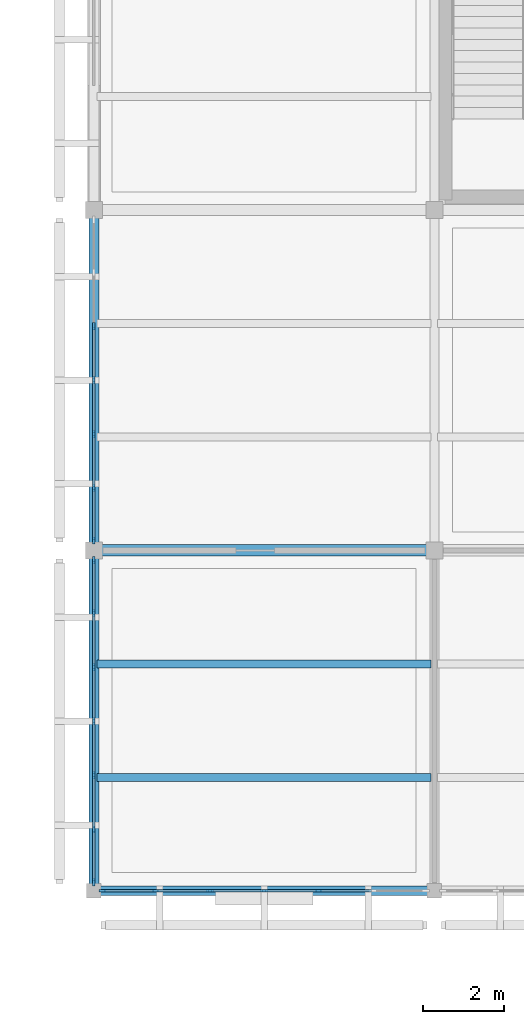
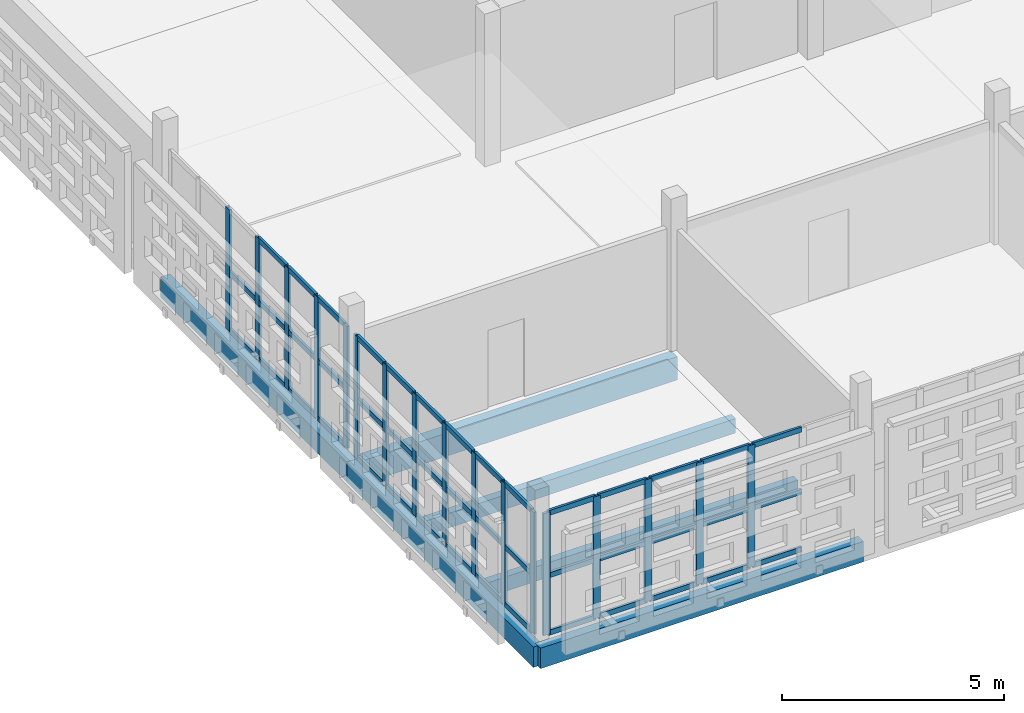
# One storey, part 16 of 166: 61 members, 6 beams, 3 elements without a shape of their own.
"""IFC4 building model written with IfcOpenShell, lengths in metres."""

from ifc_helpers import new_model, si_unit, direction, frame, origin, origin_2d, place, context, subcontext, project, spatial, rectangle, extrude, material, layer, layer_set, material_profile, profile_set, type_object, element, aggregate, save


model = new_model("IFC4")

# Units and contexts
model_context = context("Model", 3, precision=1e-05, world=origin(), true_north=direction((0.0, 1.0)))
body_context = subcontext(model_context, "Body", "Model", "MODEL_VIEW")
ifc_project = project(units=[si_unit("LENGTHUNIT", "METRE"), si_unit("AREAUNIT", "SQUARE_METRE"), si_unit("VOLUMEUNIT", "CUBIC_METRE"), si_unit("PLANEANGLEUNIT", "RADIAN"), si_unit("MASSUNIT", "GRAM", prefix="KILO")], contexts=[model_context])

# Site, building, storey
site_placement = place(None, origin())
site = spatial("IfcSite", under=ifc_project, at=site_placement, CompositionType="ELEMENT")
building_placement = place(site_placement, origin())
building = spatial("IfcBuilding", under=site, at=building_placement, Name="Varnapada Polytechnic", CompositionType="ELEMENT")
storey_placement = place(building_placement, frame((0.0, 0.0, 9.60009765625)))
storey = spatial("IfcBuildingStorey", under=building, at=storey_placement, Name="L02", CompositionType="ELEMENT", Elevation=9.60009765625)

# Beams
ifc_material_1 = material(Name="Glulam GL32h", Category="wood")
ifc_material_profile_1 = material_profile(ifc_material_1, rectangle(XDim=0.280029296875, YDim=0.639892578125, at=origin_2d()), Name="GL 280x640")
ifc_profile_set_1 = profile_set([ifc_material_profile_1], Name="Glulam GL32h")
beam_type_1 = type_object("IfcBeamType", Name="Laboratory primary glulam girder GG-02 (GL 280x640)", PredefinedType="BEAM", material=ifc_profile_set_1)
beam_1_placement = place(storey_placement, frame((8.39990234375, 8.39990234375, -0.56005859375), z_axis=(1.0, 0.0, 0.0), x_axis=(0.0, 1.0, 0.0)))
element("IfcBeam", 1, at=beam_1_placement, inside=storey, type_object=beam_type_1, Name="L02 beam X 2-3 at Y2", PredefinedType="BEAM", context=body_context, shape_type="SweptSolid", body=[
    extrude(rectangle(XDim=0.280029296875, YDim=0.639892578125, at=origin_2d()), origin(), (0.0, 0.0, 1.0), 8.400146484375),
])
ifc_material_profile_2 = material_profile(ifc_material_1, rectangle(XDim=0.199951171875, YDim=0.39990234375, at=origin_2d()), Name="GL 200x400")
ifc_profile_set_2 = profile_set([ifc_material_profile_2], Name="Glulam GL32h")
beam_type_2 = type_object("IfcBeamType", Name="Library/laboratory glulam floor joist GJ-01 (GL 200x400)", PredefinedType="JOIST", material=ifc_profile_set_2)
for number, where, z_axis, x_axis, name in (
    (2, (8.47998046875, 2.800048828125, -0.440185546875), (1.0, 0.0, 0.0), (0.0, 1.0, 0.0), "L02 floor joist 2/1.1"),
    (3, (8.47998046875, 5.60009765625, -0.440185546875), (1.0, 0.0, 0.0), (0.0, 1.0, 0.0), "L02 floor joist 2/1.2"),
):
    element("IfcBeam", number, at=place(storey_placement, frame(where, z_axis=z_axis, x_axis=x_axis)), inside=storey, type_object=beam_type_2, Name=name, PredefinedType="JOIST", context=body_context, shape_type="SweptSolid", body=[
        extrude(rectangle(XDim=0.199951171875, YDim=0.39990234375, at=origin_2d()), origin(), (0.0, 0.0, 1.0), 8.239990234375),
    ])

# Curtain wall, members
ifc_material_2 = material(Name="Double low-E laminated glass", Category="glass")
ifc_layer = layer(ifc_material_2, 0.179931640625)
ifc_layer_set = layer_set([ifc_layer], Name="Double low-E laminated glass")
curtain_wall_type = type_object("IfcCurtainWallType", Name="Curtain Wall CW-03", PredefinedType="NOTDEFINED", material=ifc_layer_set)
curtain_wall_1_placement = place(storey_placement, origin())
curtain_wall_1 = element("IfcCurtainWall", 4, at=curtain_wall_1_placement, inside=storey, type_object=curtain_wall_type, Name="L02 unitised curtain wall CW-03 (136)", PredefinedType="NOTDEFINED")
ifc_material_3 = material(Name="Anodised aluminium", Category="aluminium")
ifc_material_profile_3 = material_profile(ifc_material_3, rectangle(XDim=0.06494140625, YDim=0.179931640625, at=origin_2d()), Name="ALU M65x180")
ifc_profile_set_3 = profile_set([ifc_material_profile_3], Name="Anodised aluminium")
member_type_1 = type_object("IfcMemberType", Name="Mullion M-02", PredefinedType="MULLION", material=ifc_profile_set_3)
member_1_placement = place(storey_placement, frame((13.93994140625, 0.0, 0.0), z_axis=(0.0, 0.0, 1.0), x_axis=(0.0, -1.0, 0.0)))
member_1 = element("IfcMember", 5, at=member_1_placement, type_object=member_type_1, Name="CW-03 mullion 3", PredefinedType="MULLION", context=body_context, shape_type="SweptSolid", body=[
    extrude(rectangle(XDim=0.06494140625, YDim=0.179931640625, at=origin_2d()), origin(), (0.0, 0.0, 1.0), 3.35986328125),
])
member_2_placement = place(storey_placement, frame((12.60009765625, 0.0, 0.0), z_axis=(0.0, 0.0, 1.0), x_axis=(0.0, -1.0, 0.0)))
member_2 = element("IfcMember", 6, at=member_2_placement, type_object=member_type_1, Name="CW-03 mullion 4", PredefinedType="MULLION", context=body_context, shape_type="SweptSolid", body=[
    extrude(rectangle(XDim=0.06494140625, YDim=0.179931640625, at=origin_2d()), origin(), (0.0, 0.0, 1.0), 3.35986328125),
])
member_3_placement = place(storey_placement, frame((11.260009765625, 0.0, 0.0), z_axis=(0.0, 0.0, 1.0), x_axis=(0.0, -1.0, 0.0)))
member_3 = element("IfcMember", 7, at=member_3_placement, type_object=member_type_1, Name="CW-03 mullion 5", PredefinedType="MULLION", context=body_context, shape_type="SweptSolid", body=[
    extrude(rectangle(XDim=0.06494140625, YDim=0.179931640625, at=origin_2d()), origin(), (0.0, 0.0, 1.0), 3.35986328125),
])
member_4_placement = place(storey_placement, frame((9.919921875, 0.0, 0.0), z_axis=(0.0, 0.0, 1.0), x_axis=(0.0, -1.0, 0.0)))
member_4 = element("IfcMember", 8, at=member_4_placement, type_object=member_type_1, Name="CW-03 mullion 6", PredefinedType="MULLION", context=body_context, shape_type="SweptSolid", body=[
    extrude(rectangle(XDim=0.06494140625, YDim=0.179931640625, at=origin_2d()), origin(), (0.0, 0.0, 1.0), 3.35986328125),
])
member_5_placement = place(storey_placement, frame((8.612548828125, 0.0, 0.0), z_axis=(0.0, 0.0, 1.0), x_axis=(0.0, -1.0, 0.0)))
member_5 = element("IfcMember", 9, at=member_5_placement, type_object=member_type_1, Name="CW-03 mullion 7", PredefinedType="MULLION", context=body_context, shape_type="SweptSolid", body=[
    extrude(rectangle(XDim=0.06494140625, YDim=0.179931640625, at=origin_2d()), origin(), (0.0, 0.0, 1.0), 3.35986328125),
])

curtain_wall_2_placement = place(storey_placement, origin())
curtain_wall_2 = element("IfcCurtainWall", 10, at=curtain_wall_2_placement, inside=storey, type_object=curtain_wall_type, Name="L02 unitised curtain wall CW-03 (137)", PredefinedType="NOTDEFINED")
member_6_placement = place(storey_placement, frame((8.39990234375, 0.21240234375, 0.0), z_axis=(0.0, 0.0, 1.0), x_axis=(-1.0, 0.0, 0.0)))
member_6 = element("IfcMember", 11, at=member_6_placement, type_object=member_type_1, Name="CW-03 mullion 1", PredefinedType="MULLION", context=body_context, shape_type="SweptSolid", body=[
    extrude(rectangle(XDim=0.06494140625, YDim=0.179931640625, at=origin_2d()), origin(), (0.0, 0.0, 1.0), 3.35986328125),
])
member_7_placement = place(storey_placement, frame((8.39990234375, 1.514892578125, 0.0), z_axis=(0.0, 0.0, 1.0), x_axis=(-1.0, 0.0, 0.0)))
member_7 = element("IfcMember", 12, at=member_7_placement, type_object=member_type_1, Name="CW-03 mullion 2", PredefinedType="MULLION", context=body_context, shape_type="SweptSolid", body=[
    extrude(rectangle(XDim=0.06494140625, YDim=0.179931640625, at=origin_2d()), origin(), (0.0, 0.0, 1.0), 3.35986328125),
])
member_8_placement = place(storey_placement, frame((8.39990234375, 2.85009765625, 0.0), z_axis=(0.0, 0.0, 1.0), x_axis=(-1.0, 0.0, 0.0)))
member_8 = element("IfcMember", 13, at=member_8_placement, type_object=member_type_1, Name="CW-03 mullion 3", PredefinedType="MULLION", context=body_context, shape_type="SweptSolid", body=[
    extrude(rectangle(XDim=0.06494140625, YDim=0.179931640625, at=origin_2d()), origin(), (0.0, 0.0, 1.0), 3.35986328125),
])
member_9_placement = place(storey_placement, frame((8.39990234375, 4.18505859375, 0.0), z_axis=(0.0, 0.0, 1.0), x_axis=(-1.0, 0.0, 0.0)))
member_9 = element("IfcMember", 14, at=member_9_placement, type_object=member_type_1, Name="CW-03 mullion 4", PredefinedType="MULLION", context=body_context, shape_type="SweptSolid", body=[
    extrude(rectangle(XDim=0.06494140625, YDim=0.179931640625, at=origin_2d()), origin(), (0.0, 0.0, 1.0), 3.35986328125),
])
member_10_placement = place(storey_placement, frame((8.39990234375, 5.52001953125, 0.0), z_axis=(0.0, 0.0, 1.0), x_axis=(-1.0, 0.0, 0.0)))
member_10 = element("IfcMember", 15, at=member_10_placement, type_object=member_type_1, Name="CW-03 mullion 5", PredefinedType="MULLION", context=body_context, shape_type="SweptSolid", body=[
    extrude(rectangle(XDim=0.06494140625, YDim=0.179931640625, at=origin_2d()), origin(), (0.0, 0.0, 1.0), 3.35986328125),
])
member_11_placement = place(storey_placement, frame((8.39990234375, 6.85498046875, 0.0), z_axis=(0.0, 0.0, 1.0), x_axis=(-1.0, 0.0, 0.0)))
member_11 = element("IfcMember", 16, at=member_11_placement, type_object=member_type_1, Name="CW-03 mullion 6", PredefinedType="MULLION", context=body_context, shape_type="SweptSolid", body=[
    extrude(rectangle(XDim=0.06494140625, YDim=0.179931640625, at=origin_2d()), origin(), (0.0, 0.0, 1.0), 3.35986328125),
])
member_12_placement = place(storey_placement, frame((8.39990234375, 8.157470703125, 0.0), z_axis=(0.0, 0.0, 1.0), x_axis=(-1.0, 0.0, 0.0)))
member_12 = element("IfcMember", 17, at=member_12_placement, type_object=member_type_1, Name="CW-03 mullion 7", PredefinedType="MULLION", context=body_context, shape_type="SweptSolid", body=[
    extrude(rectangle(XDim=0.06494140625, YDim=0.179931640625, at=origin_2d()), origin(), (0.0, 0.0, 1.0), 3.35986328125),
])

curtain_wall_3_placement = place(storey_placement, origin())
curtain_wall_3 = element("IfcCurtainWall", 18, at=curtain_wall_3_placement, inside=storey, type_object=curtain_wall_type, Name="L02 unitised curtain wall CW-03 (138)", PredefinedType="NOTDEFINED")
member_13_placement = place(storey_placement, frame((8.39990234375, 8.642578125, 0.0), z_axis=(0.0, 0.0, 1.0), x_axis=(-1.0, 0.0, 0.0)))
member_13 = element("IfcMember", 19, at=member_13_placement, type_object=member_type_1, Name="CW-03 mullion 1", PredefinedType="MULLION", context=body_context, shape_type="SweptSolid", body=[
    extrude(rectangle(XDim=0.06494140625, YDim=0.179931640625, at=origin_2d()), origin(), (0.0, 0.0, 1.0), 3.35986328125),
])
member_14_placement = place(storey_placement, frame((8.39990234375, 9.93994140625, 0.0), z_axis=(0.0, 0.0, 1.0), x_axis=(-1.0, 0.0, 0.0)))
member_14 = element("IfcMember", 20, at=member_14_placement, type_object=member_type_1, Name="CW-03 mullion 2", PredefinedType="MULLION", context=body_context, shape_type="SweptSolid", body=[
    extrude(rectangle(XDim=0.06494140625, YDim=0.179931640625, at=origin_2d()), origin(), (0.0, 0.0, 1.0), 3.35986328125),
])
member_15_placement = place(storey_placement, frame((8.39990234375, 11.27001953125, 0.0), z_axis=(0.0, 0.0, 1.0), x_axis=(-1.0, 0.0, 0.0)))
member_15 = element("IfcMember", 21, at=member_15_placement, type_object=member_type_1, Name="CW-03 mullion 3", PredefinedType="MULLION", context=body_context, shape_type="SweptSolid", body=[
    extrude(rectangle(XDim=0.06494140625, YDim=0.179931640625, at=origin_2d()), origin(), (0.0, 0.0, 1.0), 3.35986328125),
])
member_16_placement = place(storey_placement, frame((8.39990234375, 12.60009765625, 0.0), z_axis=(0.0, 0.0, 1.0), x_axis=(-1.0, 0.0, 0.0)))
member_16 = element("IfcMember", 22, at=member_16_placement, type_object=member_type_1, Name="CW-03 mullion 4", PredefinedType="MULLION", context=body_context, shape_type="SweptSolid", body=[
    extrude(rectangle(XDim=0.06494140625, YDim=0.179931640625, at=origin_2d()), origin(), (0.0, 0.0, 1.0), 3.35986328125),
])
member_17_placement = place(storey_placement, frame((8.39990234375, 13.929931640625, 0.0), z_axis=(0.0, 0.0, 1.0), x_axis=(-1.0, 0.0, 0.0)))
member_17 = element("IfcMember", 23, at=member_17_placement, type_object=member_type_1, Name="CW-03 mullion 5", PredefinedType="MULLION", context=body_context, shape_type="SweptSolid", body=[
    extrude(rectangle(XDim=0.06494140625, YDim=0.179931640625, at=origin_2d()), origin(), (0.0, 0.0, 1.0), 3.35986328125),
])

# Beams
ifc_material_profile_4 = material_profile(ifc_material_1, rectangle(XDim=0.239990234375, YDim=0.56005859375, at=origin_2d()), Name="GL 240x560")
ifc_profile_set_4 = profile_set([ifc_material_profile_4], Name="Glulam GL32h")
beam_type_3 = type_object("IfcBeamType", Name="Perimeter glulam spandrel beam SP-02 (GL 240x560)", PredefinedType="SPANDREL", material=ifc_profile_set_4)
beam_2_placement = place(storey_placement, frame((8.39990234375, 0.0, -0.52001953125), z_axis=(1.0, 0.0, 0.0), x_axis=(0.0, 1.0, 0.0)))
element("IfcBeam", 24, at=beam_2_placement, inside=storey, type_object=beam_type_3, Name="L02 beam X 2-3 at Y1", PredefinedType="SPANDREL", context=body_context, shape_type="SweptSolid", body=[
    extrude(rectangle(XDim=0.239990234375, YDim=0.56005859375, at=origin_2d()), origin(), (0.0, 0.0, 1.0), 8.400146484375),
])
beam_3_placement = place(storey_placement, frame((8.39990234375, 0.0, -0.52001953125), z_axis=(0.0, 1.0, 0.0), x_axis=(-1.0, 0.0, 0.0)))
element("IfcBeam", 25, at=beam_3_placement, inside=storey, type_object=beam_type_3, Name="L02 beam Y 1-2 at X2", PredefinedType="SPANDREL", context=body_context, shape_type="SweptSolid", body=[
    extrude(rectangle(XDim=0.239990234375, YDim=0.56005859375, at=origin_2d()), origin(), (0.0, 0.0, 1.0), 8.39990234375),
])
beam_4_placement = place(storey_placement, frame((8.39990234375, 8.39990234375, -0.52001953125), z_axis=(0.0, 1.0, 0.0), x_axis=(-1.0, 0.0, 0.0)))
element("IfcBeam", 26, at=beam_4_placement, inside=storey, type_object=beam_type_3, Name="L02 beam Y 2-3 at X2", PredefinedType="SPANDREL", context=body_context, shape_type="SweptSolid", body=[
    extrude(rectangle(XDim=0.239990234375, YDim=0.56005859375, at=origin_2d()), origin(), (0.0, 0.0, 1.0), 8.400146484375),
])

# Member
ifc_material_profile_5 = material_profile(ifc_material_3, rectangle(XDim=0.06494140625, YDim=0.139892578125, at=origin_2d()), Name="ALU T65x140")
ifc_profile_set_5 = profile_set([ifc_material_profile_5], Name="Anodised aluminium")
member_type_2 = type_object("IfcMemberType", Name="Transom T-02", PredefinedType="USERDEFINED", material=ifc_profile_set_5)
member_18_placement = place(storey_placement, frame((15.24755859375, 0.0, 0.032470703125), z_axis=(-1.0, 0.0, 0.0), x_axis=(0.0, -1.0, 0.0)))
member_18 = element("IfcMember", 27, at=member_18_placement, type_object=member_type_2, Name="CW-03 transom 2.1", ObjectType="TRANSOM", PredefinedType="USERDEFINED", context=body_context, shape_type="SweptSolid", body=[
    extrude(rectangle(XDim=0.06494140625, YDim=0.139892578125, at=origin_2d()), origin(), (0.0, 0.0, 1.0), 1.275146484375),
])

member_19_placement = place(storey_placement, frame((15.24755859375, 0.0, 1.61279296875), z_axis=(-1.0, 0.0, 0.0), x_axis=(0.0, -1.0, 0.0)))
member_19 = element("IfcMember", 28, at=member_19_placement, type_object=member_type_2, Name="CW-03 transom 2.2", ObjectType="TRANSOM", PredefinedType="USERDEFINED", context=body_context, shape_type="SweptSolid", body=[
    extrude(rectangle(XDim=0.06494140625, YDim=0.139892578125, at=origin_2d()), origin(), (0.0, 0.0, 1.0), 1.275146484375),
])

member_20_placement = place(storey_placement, frame((15.24755859375, 0.0, 3.327392578125), z_axis=(-1.0, 0.0, 0.0), x_axis=(0.0, -1.0, 0.0)))
member_20 = element("IfcMember", 29, at=member_20_placement, type_object=member_type_2, Name="CW-03 transom 2.3", ObjectType="TRANSOM", PredefinedType="USERDEFINED", context=body_context, shape_type="SweptSolid", body=[
    extrude(rectangle(XDim=0.06494140625, YDim=0.139892578125, at=origin_2d()), origin(), (0.0, 0.0, 1.0), 1.275146484375),
])

member_21_placement = place(storey_placement, frame((13.907470703125, 0.0, 0.032470703125), z_axis=(-1.0, 0.0, 0.0), x_axis=(0.0, -1.0, 0.0)))
member_21 = element("IfcMember", 30, at=member_21_placement, type_object=member_type_2, Name="CW-03 transom 3.1", ObjectType="TRANSOM", PredefinedType="USERDEFINED", context=body_context, shape_type="SweptSolid", body=[
    extrude(rectangle(XDim=0.06494140625, YDim=0.139892578125, at=origin_2d()), origin(), (0.0, 0.0, 1.0), 1.27490234375),
])

member_22_placement = place(storey_placement, frame((13.907470703125, 0.0, 1.61279296875), z_axis=(-1.0, 0.0, 0.0), x_axis=(0.0, -1.0, 0.0)))
member_22 = element("IfcMember", 31, at=member_22_placement, type_object=member_type_2, Name="CW-03 transom 3.2", ObjectType="TRANSOM", PredefinedType="USERDEFINED", context=body_context, shape_type="SweptSolid", body=[
    extrude(rectangle(XDim=0.06494140625, YDim=0.139892578125, at=origin_2d()), origin(), (0.0, 0.0, 1.0), 1.27490234375),
])

member_23_placement = place(storey_placement, frame((13.907470703125, 0.0, 3.327392578125), z_axis=(-1.0, 0.0, 0.0), x_axis=(0.0, -1.0, 0.0)))
member_23 = element("IfcMember", 32, at=member_23_placement, type_object=member_type_2, Name="CW-03 transom 3.3", ObjectType="TRANSOM", PredefinedType="USERDEFINED", context=body_context, shape_type="SweptSolid", body=[
    extrude(rectangle(XDim=0.06494140625, YDim=0.139892578125, at=origin_2d()), origin(), (0.0, 0.0, 1.0), 1.27490234375),
])

member_24_placement = place(storey_placement, frame((12.5673828125, 0.0, 0.032470703125), z_axis=(-1.0, 0.0, 0.0), x_axis=(0.0, -1.0, 0.0)))
member_24 = element("IfcMember", 33, at=member_24_placement, type_object=member_type_2, Name="CW-03 transom 4.1", ObjectType="TRANSOM", PredefinedType="USERDEFINED", context=body_context, shape_type="SweptSolid", body=[
    extrude(rectangle(XDim=0.06494140625, YDim=0.139892578125, at=origin_2d()), origin(), (0.0, 0.0, 1.0), 1.27490234375),
])

member_25_placement = place(storey_placement, frame((12.5673828125, 0.0, 1.61279296875), z_axis=(-1.0, 0.0, 0.0), x_axis=(0.0, -1.0, 0.0)))
member_25 = element("IfcMember", 34, at=member_25_placement, type_object=member_type_2, Name="CW-03 transom 4.2", ObjectType="TRANSOM", PredefinedType="USERDEFINED", context=body_context, shape_type="SweptSolid", body=[
    extrude(rectangle(XDim=0.06494140625, YDim=0.139892578125, at=origin_2d()), origin(), (0.0, 0.0, 1.0), 1.27490234375),
])

member_26_placement = place(storey_placement, frame((12.5673828125, 0.0, 3.327392578125), z_axis=(-1.0, 0.0, 0.0), x_axis=(0.0, -1.0, 0.0)))
member_26 = element("IfcMember", 35, at=member_26_placement, type_object=member_type_2, Name="CW-03 transom 4.3", ObjectType="TRANSOM", PredefinedType="USERDEFINED", context=body_context, shape_type="SweptSolid", body=[
    extrude(rectangle(XDim=0.06494140625, YDim=0.139892578125, at=origin_2d()), origin(), (0.0, 0.0, 1.0), 1.27490234375),
])

member_27_placement = place(storey_placement, frame((11.2275390625, 0.0, 0.032470703125), z_axis=(-1.0, 0.0, 0.0), x_axis=(0.0, -1.0, 0.0)))
member_27 = element("IfcMember", 36, at=member_27_placement, type_object=member_type_2, Name="CW-03 transom 5.1", ObjectType="TRANSOM", PredefinedType="USERDEFINED", context=body_context, shape_type="SweptSolid", body=[
    extrude(rectangle(XDim=0.06494140625, YDim=0.139892578125, at=origin_2d()), origin(), (0.0, 0.0, 1.0), 1.275146484375),
])

member_28_placement = place(storey_placement, frame((11.2275390625, 0.0, 1.61279296875), z_axis=(-1.0, 0.0, 0.0), x_axis=(0.0, -1.0, 0.0)))
member_28 = element("IfcMember", 37, at=member_28_placement, type_object=member_type_2, Name="CW-03 transom 5.2", ObjectType="TRANSOM", PredefinedType="USERDEFINED", context=body_context, shape_type="SweptSolid", body=[
    extrude(rectangle(XDim=0.06494140625, YDim=0.139892578125, at=origin_2d()), origin(), (0.0, 0.0, 1.0), 1.275146484375),
])

member_29_placement = place(storey_placement, frame((11.2275390625, 0.0, 3.327392578125), z_axis=(-1.0, 0.0, 0.0), x_axis=(0.0, -1.0, 0.0)))
member_29 = element("IfcMember", 38, at=member_29_placement, type_object=member_type_2, Name="CW-03 transom 5.3", ObjectType="TRANSOM", PredefinedType="USERDEFINED", context=body_context, shape_type="SweptSolid", body=[
    extrude(rectangle(XDim=0.06494140625, YDim=0.139892578125, at=origin_2d()), origin(), (0.0, 0.0, 1.0), 1.275146484375),
])

member_30_placement = place(storey_placement, frame((9.887451171875, 0.0, 0.032470703125), z_axis=(-1.0, 0.0, 0.0), x_axis=(0.0, -1.0, 0.0)))
member_30 = element("IfcMember", 39, at=member_30_placement, type_object=member_type_2, Name="CW-03 transom 6.1", ObjectType="TRANSOM", PredefinedType="USERDEFINED", context=body_context, shape_type="SweptSolid", body=[
    extrude(rectangle(XDim=0.06494140625, YDim=0.139892578125, at=origin_2d()), origin(), (0.0, 0.0, 1.0), 1.242431640625),
])

member_31_placement = place(storey_placement, frame((9.887451171875, 0.0, 1.61279296875), z_axis=(-1.0, 0.0, 0.0), x_axis=(0.0, -1.0, 0.0)))
member_31 = element("IfcMember", 40, at=member_31_placement, type_object=member_type_2, Name="CW-03 transom 6.2", ObjectType="TRANSOM", PredefinedType="USERDEFINED", context=body_context, shape_type="SweptSolid", body=[
    extrude(rectangle(XDim=0.06494140625, YDim=0.139892578125, at=origin_2d()), origin(), (0.0, 0.0, 1.0), 1.242431640625),
])

member_32_placement = place(storey_placement, frame((9.887451171875, 0.0, 3.327392578125), z_axis=(-1.0, 0.0, 0.0), x_axis=(0.0, -1.0, 0.0)))
member_32 = element("IfcMember", 41, at=member_32_placement, type_object=member_type_2, Name="CW-03 transom 6.3", ObjectType="TRANSOM", PredefinedType="USERDEFINED", context=body_context, shape_type="SweptSolid", body=[
    extrude(rectangle(XDim=0.06494140625, YDim=0.139892578125, at=origin_2d()), origin(), (0.0, 0.0, 1.0), 1.242431640625),
])

aggregate(curtain_wall_1, [member_1, member_2, member_3, member_4, member_5, member_18, member_19, member_20, member_21, member_22, member_23, member_24, member_25, member_26, member_27, member_28, member_29, member_30, member_31, member_32])

member_33_placement = place(storey_placement, frame((8.39990234375, 0.2451171875, 0.032470703125), z_axis=(0.0, 1.0, 0.0), x_axis=(-1.0, 0.0, 0.0)))
member_33 = element("IfcMember", 42, at=member_33_placement, type_object=member_type_2, Name="CW-03 transom 1.1", ObjectType="TRANSOM", PredefinedType="USERDEFINED", context=body_context, shape_type="SweptSolid", body=[
    extrude(rectangle(XDim=0.06494140625, YDim=0.139892578125, at=origin_2d()), origin(), (0.0, 0.0, 1.0), 1.2373046875),
])

member_34_placement = place(storey_placement, frame((8.39990234375, 0.2451171875, 1.61279296875), z_axis=(0.0, 1.0, 0.0), x_axis=(-1.0, 0.0, 0.0)))
member_34 = element("IfcMember", 43, at=member_34_placement, type_object=member_type_2, Name="CW-03 transom 1.2", ObjectType="TRANSOM", PredefinedType="USERDEFINED", context=body_context, shape_type="SweptSolid", body=[
    extrude(rectangle(XDim=0.06494140625, YDim=0.139892578125, at=origin_2d()), origin(), (0.0, 0.0, 1.0), 1.2373046875),
])

member_35_placement = place(storey_placement, frame((8.39990234375, 0.2451171875, 3.327392578125), z_axis=(0.0, 1.0, 0.0), x_axis=(-1.0, 0.0, 0.0)))
member_35 = element("IfcMember", 44, at=member_35_placement, type_object=member_type_2, Name="CW-03 transom 1.3", ObjectType="TRANSOM", PredefinedType="USERDEFINED", context=body_context, shape_type="SweptSolid", body=[
    extrude(rectangle(XDim=0.06494140625, YDim=0.139892578125, at=origin_2d()), origin(), (0.0, 0.0, 1.0), 1.2373046875),
])

member_36_placement = place(storey_placement, frame((8.39990234375, 1.547607421875, 0.032470703125), z_axis=(0.0, 1.0, 0.0), x_axis=(-1.0, 0.0, 0.0)))
member_36 = element("IfcMember", 45, at=member_36_placement, type_object=member_type_2, Name="CW-03 transom 2.1", ObjectType="TRANSOM", PredefinedType="USERDEFINED", context=body_context, shape_type="SweptSolid", body=[
    extrude(rectangle(XDim=0.06494140625, YDim=0.139892578125, at=origin_2d()), origin(), (0.0, 0.0, 1.0), 1.269775390625),
])

member_37_placement = place(storey_placement, frame((8.39990234375, 1.547607421875, 1.61279296875), z_axis=(0.0, 1.0, 0.0), x_axis=(-1.0, 0.0, 0.0)))
member_37 = element("IfcMember", 46, at=member_37_placement, type_object=member_type_2, Name="CW-03 transom 2.2", ObjectType="TRANSOM", PredefinedType="USERDEFINED", context=body_context, shape_type="SweptSolid", body=[
    extrude(rectangle(XDim=0.06494140625, YDim=0.139892578125, at=origin_2d()), origin(), (0.0, 0.0, 1.0), 1.269775390625),
])

member_38_placement = place(storey_placement, frame((8.39990234375, 1.547607421875, 3.327392578125), z_axis=(0.0, 1.0, 0.0), x_axis=(-1.0, 0.0, 0.0)))
member_38 = element("IfcMember", 47, at=member_38_placement, type_object=member_type_2, Name="CW-03 transom 2.3", ObjectType="TRANSOM", PredefinedType="USERDEFINED", context=body_context, shape_type="SweptSolid", body=[
    extrude(rectangle(XDim=0.06494140625, YDim=0.139892578125, at=origin_2d()), origin(), (0.0, 0.0, 1.0), 1.269775390625),
])

member_39_placement = place(storey_placement, frame((8.39990234375, 2.882568359375, 0.032470703125), z_axis=(0.0, 1.0, 0.0), x_axis=(-1.0, 0.0, 0.0)))
member_39 = element("IfcMember", 48, at=member_39_placement, type_object=member_type_2, Name="CW-03 transom 3.1", ObjectType="TRANSOM", PredefinedType="USERDEFINED", context=body_context, shape_type="SweptSolid", body=[
    extrude(rectangle(XDim=0.06494140625, YDim=0.139892578125, at=origin_2d()), origin(), (0.0, 0.0, 1.0), 1.27001953125),
])

member_40_placement = place(storey_placement, frame((8.39990234375, 2.882568359375, 1.61279296875), z_axis=(0.0, 1.0, 0.0), x_axis=(-1.0, 0.0, 0.0)))
member_40 = element("IfcMember", 49, at=member_40_placement, type_object=member_type_2, Name="CW-03 transom 3.2", ObjectType="TRANSOM", PredefinedType="USERDEFINED", context=body_context, shape_type="SweptSolid", body=[
    extrude(rectangle(XDim=0.06494140625, YDim=0.139892578125, at=origin_2d()), origin(), (0.0, 0.0, 1.0), 1.27001953125),
])

member_41_placement = place(storey_placement, frame((8.39990234375, 2.882568359375, 3.327392578125), z_axis=(0.0, 1.0, 0.0), x_axis=(-1.0, 0.0, 0.0)))
member_41 = element("IfcMember", 50, at=member_41_placement, type_object=member_type_2, Name="CW-03 transom 3.3", ObjectType="TRANSOM", PredefinedType="USERDEFINED", context=body_context, shape_type="SweptSolid", body=[
    extrude(rectangle(XDim=0.06494140625, YDim=0.139892578125, at=origin_2d()), origin(), (0.0, 0.0, 1.0), 1.27001953125),
])

member_42_placement = place(storey_placement, frame((8.39990234375, 4.217529296875, 0.032470703125), z_axis=(0.0, 1.0, 0.0), x_axis=(-1.0, 0.0, 0.0)))
member_42 = element("IfcMember", 51, at=member_42_placement, type_object=member_type_2, Name="CW-03 transom 4.1", ObjectType="TRANSOM", PredefinedType="USERDEFINED", context=body_context, shape_type="SweptSolid", body=[
    extrude(rectangle(XDim=0.06494140625, YDim=0.139892578125, at=origin_2d()), origin(), (0.0, 0.0, 1.0), 1.27001953125),
])

member_43_placement = place(storey_placement, frame((8.39990234375, 4.217529296875, 1.61279296875), z_axis=(0.0, 1.0, 0.0), x_axis=(-1.0, 0.0, 0.0)))
member_43 = element("IfcMember", 52, at=member_43_placement, type_object=member_type_2, Name="CW-03 transom 4.2", ObjectType="TRANSOM", PredefinedType="USERDEFINED", context=body_context, shape_type="SweptSolid", body=[
    extrude(rectangle(XDim=0.06494140625, YDim=0.139892578125, at=origin_2d()), origin(), (0.0, 0.0, 1.0), 1.27001953125),
])

member_44_placement = place(storey_placement, frame((8.39990234375, 4.217529296875, 3.327392578125), z_axis=(0.0, 1.0, 0.0), x_axis=(-1.0, 0.0, 0.0)))
member_44 = element("IfcMember", 53, at=member_44_placement, type_object=member_type_2, Name="CW-03 transom 4.3", ObjectType="TRANSOM", PredefinedType="USERDEFINED", context=body_context, shape_type="SweptSolid", body=[
    extrude(rectangle(XDim=0.06494140625, YDim=0.139892578125, at=origin_2d()), origin(), (0.0, 0.0, 1.0), 1.27001953125),
])

member_45_placement = place(storey_placement, frame((8.39990234375, 5.552490234375, 0.032470703125), z_axis=(0.0, 1.0, 0.0), x_axis=(-1.0, 0.0, 0.0)))
member_45 = element("IfcMember", 54, at=member_45_placement, type_object=member_type_2, Name="CW-03 transom 5.1", ObjectType="TRANSOM", PredefinedType="USERDEFINED", context=body_context, shape_type="SweptSolid", body=[
    extrude(rectangle(XDim=0.06494140625, YDim=0.139892578125, at=origin_2d()), origin(), (0.0, 0.0, 1.0), 1.27001953125),
])

member_46_placement = place(storey_placement, frame((8.39990234375, 5.552490234375, 1.61279296875), z_axis=(0.0, 1.0, 0.0), x_axis=(-1.0, 0.0, 0.0)))
member_46 = element("IfcMember", 55, at=member_46_placement, type_object=member_type_2, Name="CW-03 transom 5.2", ObjectType="TRANSOM", PredefinedType="USERDEFINED", context=body_context, shape_type="SweptSolid", body=[
    extrude(rectangle(XDim=0.06494140625, YDim=0.139892578125, at=origin_2d()), origin(), (0.0, 0.0, 1.0), 1.27001953125),
])

member_47_placement = place(storey_placement, frame((8.39990234375, 5.552490234375, 3.327392578125), z_axis=(0.0, 1.0, 0.0), x_axis=(-1.0, 0.0, 0.0)))
member_47 = element("IfcMember", 56, at=member_47_placement, type_object=member_type_2, Name="CW-03 transom 5.3", ObjectType="TRANSOM", PredefinedType="USERDEFINED", context=body_context, shape_type="SweptSolid", body=[
    extrude(rectangle(XDim=0.06494140625, YDim=0.139892578125, at=origin_2d()), origin(), (0.0, 0.0, 1.0), 1.27001953125),
])

member_48_placement = place(storey_placement, frame((8.39990234375, 6.887451171875, 0.032470703125), z_axis=(0.0, 1.0, 0.0), x_axis=(-1.0, 0.0, 0.0)))
member_48 = element("IfcMember", 57, at=member_48_placement, type_object=member_type_2, Name="CW-03 transom 6.1", ObjectType="TRANSOM", PredefinedType="USERDEFINED", context=body_context, shape_type="SweptSolid", body=[
    extrude(rectangle(XDim=0.06494140625, YDim=0.139892578125, at=origin_2d()), origin(), (0.0, 0.0, 1.0), 1.237548828125),
])

member_49_placement = place(storey_placement, frame((8.39990234375, 6.887451171875, 1.61279296875), z_axis=(0.0, 1.0, 0.0), x_axis=(-1.0, 0.0, 0.0)))
member_49 = element("IfcMember", 58, at=member_49_placement, type_object=member_type_2, Name="CW-03 transom 6.2", ObjectType="TRANSOM", PredefinedType="USERDEFINED", context=body_context, shape_type="SweptSolid", body=[
    extrude(rectangle(XDim=0.06494140625, YDim=0.139892578125, at=origin_2d()), origin(), (0.0, 0.0, 1.0), 1.237548828125),
])

member_50_placement = place(storey_placement, frame((8.39990234375, 6.887451171875, 3.327392578125), z_axis=(0.0, 1.0, 0.0), x_axis=(-1.0, 0.0, 0.0)))
member_50 = element("IfcMember", 59, at=member_50_placement, type_object=member_type_2, Name="CW-03 transom 6.3", ObjectType="TRANSOM", PredefinedType="USERDEFINED", context=body_context, shape_type="SweptSolid", body=[
    extrude(rectangle(XDim=0.06494140625, YDim=0.139892578125, at=origin_2d()), origin(), (0.0, 0.0, 1.0), 1.237548828125),
])

aggregate(curtain_wall_2, [member_6, member_7, member_8, member_9, member_10, member_11, member_12, member_33, member_34, member_35, member_36, member_37, member_38, member_39, member_40, member_41, member_42, member_43, member_44, member_45, member_46, member_47, member_48, member_49, member_50])

member_51_placement = place(storey_placement, frame((8.39990234375, 8.675048828125, 0.032470703125), z_axis=(0.0, 1.0, 0.0), x_axis=(-1.0, 0.0, 0.0)))
member_51 = element("IfcMember", 60, at=member_51_placement, type_object=member_type_2, Name="CW-03 transom 1.1", ObjectType="TRANSOM", PredefinedType="USERDEFINED", context=body_context, shape_type="SweptSolid", body=[
    extrude(rectangle(XDim=0.06494140625, YDim=0.139892578125, at=origin_2d()), origin(), (0.0, 0.0, 1.0), 1.232421875),
])

member_52_placement = place(storey_placement, frame((8.39990234375, 8.675048828125, 1.61279296875), z_axis=(0.0, 1.0, 0.0), x_axis=(-1.0, 0.0, 0.0)))
member_52 = element("IfcMember", 61, at=member_52_placement, type_object=member_type_2, Name="CW-03 transom 1.2", ObjectType="TRANSOM", PredefinedType="USERDEFINED", context=body_context, shape_type="SweptSolid", body=[
    extrude(rectangle(XDim=0.06494140625, YDim=0.139892578125, at=origin_2d()), origin(), (0.0, 0.0, 1.0), 1.232421875),
])

member_53_placement = place(storey_placement, frame((8.39990234375, 8.675048828125, 3.327392578125), z_axis=(0.0, 1.0, 0.0), x_axis=(-1.0, 0.0, 0.0)))
member_53 = element("IfcMember", 62, at=member_53_placement, type_object=member_type_2, Name="CW-03 transom 1.3", ObjectType="TRANSOM", PredefinedType="USERDEFINED", context=body_context, shape_type="SweptSolid", body=[
    extrude(rectangle(XDim=0.06494140625, YDim=0.139892578125, at=origin_2d()), origin(), (0.0, 0.0, 1.0), 1.232421875),
])

member_54_placement = place(storey_placement, frame((8.39990234375, 9.972412109375, 0.032470703125), z_axis=(0.0, 1.0, 0.0), x_axis=(-1.0, 0.0, 0.0)))
member_54 = element("IfcMember", 63, at=member_54_placement, type_object=member_type_2, Name="CW-03 transom 2.1", ObjectType="TRANSOM", PredefinedType="USERDEFINED", context=body_context, shape_type="SweptSolid", body=[
    extrude(rectangle(XDim=0.06494140625, YDim=0.139892578125, at=origin_2d()), origin(), (0.0, 0.0, 1.0), 1.26513671875),
])

member_55_placement = place(storey_placement, frame((8.39990234375, 9.972412109375, 1.61279296875), z_axis=(0.0, 1.0, 0.0), x_axis=(-1.0, 0.0, 0.0)))
member_55 = element("IfcMember", 64, at=member_55_placement, type_object=member_type_2, Name="CW-03 transom 2.2", ObjectType="TRANSOM", PredefinedType="USERDEFINED", context=body_context, shape_type="SweptSolid", body=[
    extrude(rectangle(XDim=0.06494140625, YDim=0.139892578125, at=origin_2d()), origin(), (0.0, 0.0, 1.0), 1.26513671875),
])

member_56_placement = place(storey_placement, frame((8.39990234375, 9.972412109375, 3.327392578125), z_axis=(0.0, 1.0, 0.0), x_axis=(-1.0, 0.0, 0.0)))
member_56 = element("IfcMember", 65, at=member_56_placement, type_object=member_type_2, Name="CW-03 transom 2.3", ObjectType="TRANSOM", PredefinedType="USERDEFINED", context=body_context, shape_type="SweptSolid", body=[
    extrude(rectangle(XDim=0.06494140625, YDim=0.139892578125, at=origin_2d()), origin(), (0.0, 0.0, 1.0), 1.26513671875),
])

member_57_placement = place(storey_placement, frame((8.39990234375, 11.302490234375, 0.032470703125), z_axis=(0.0, 1.0, 0.0), x_axis=(-1.0, 0.0, 0.0)))
member_57 = element("IfcMember", 66, at=member_57_placement, type_object=member_type_2, Name="CW-03 transom 3.1", ObjectType="TRANSOM", PredefinedType="USERDEFINED", context=body_context, shape_type="SweptSolid", body=[
    extrude(rectangle(XDim=0.06494140625, YDim=0.139892578125, at=origin_2d()), origin(), (0.0, 0.0, 1.0), 1.264892578125),
])

member_58_placement = place(storey_placement, frame((8.39990234375, 11.302490234375, 1.61279296875), z_axis=(0.0, 1.0, 0.0), x_axis=(-1.0, 0.0, 0.0)))
member_58 = element("IfcMember", 67, at=member_58_placement, type_object=member_type_2, Name="CW-03 transom 3.2", ObjectType="TRANSOM", PredefinedType="USERDEFINED", context=body_context, shape_type="SweptSolid", body=[
    extrude(rectangle(XDim=0.06494140625, YDim=0.139892578125, at=origin_2d()), origin(), (0.0, 0.0, 1.0), 1.264892578125),
])

member_59_placement = place(storey_placement, frame((8.39990234375, 11.302490234375, 3.327392578125), z_axis=(0.0, 1.0, 0.0), x_axis=(-1.0, 0.0, 0.0)))
member_59 = element("IfcMember", 68, at=member_59_placement, type_object=member_type_2, Name="CW-03 transom 3.3", ObjectType="TRANSOM", PredefinedType="USERDEFINED", context=body_context, shape_type="SweptSolid", body=[
    extrude(rectangle(XDim=0.06494140625, YDim=0.139892578125, at=origin_2d()), origin(), (0.0, 0.0, 1.0), 1.264892578125),
])

member_60_placement = place(storey_placement, frame((8.39990234375, 12.632568359375, 0.032470703125), z_axis=(0.0, 1.0, 0.0), x_axis=(-1.0, 0.0, 0.0)))
member_60 = element("IfcMember", 69, at=member_60_placement, type_object=member_type_2, Name="CW-03 transom 4.1", ObjectType="TRANSOM", PredefinedType="USERDEFINED", context=body_context, shape_type="SweptSolid", body=[
    extrude(rectangle(XDim=0.06494140625, YDim=0.139892578125, at=origin_2d()), origin(), (0.0, 0.0, 1.0), 1.264892578125),
])

member_61_placement = place(storey_placement, frame((8.39990234375, 12.632568359375, 1.61279296875), z_axis=(0.0, 1.0, 0.0), x_axis=(-1.0, 0.0, 0.0)))
member_61 = element("IfcMember", 70, at=member_61_placement, type_object=member_type_2, Name="CW-03 transom 4.2", ObjectType="TRANSOM", PredefinedType="USERDEFINED", context=body_context, shape_type="SweptSolid", body=[
    extrude(rectangle(XDim=0.06494140625, YDim=0.139892578125, at=origin_2d()), origin(), (0.0, 0.0, 1.0), 1.264892578125),
])

aggregate(curtain_wall_3, [member_13, member_14, member_15, member_16, member_17, member_51, member_52, member_53, member_54, member_55, member_56, member_57, member_58, member_59, member_60, member_61])

save(model, "model.ifc")
